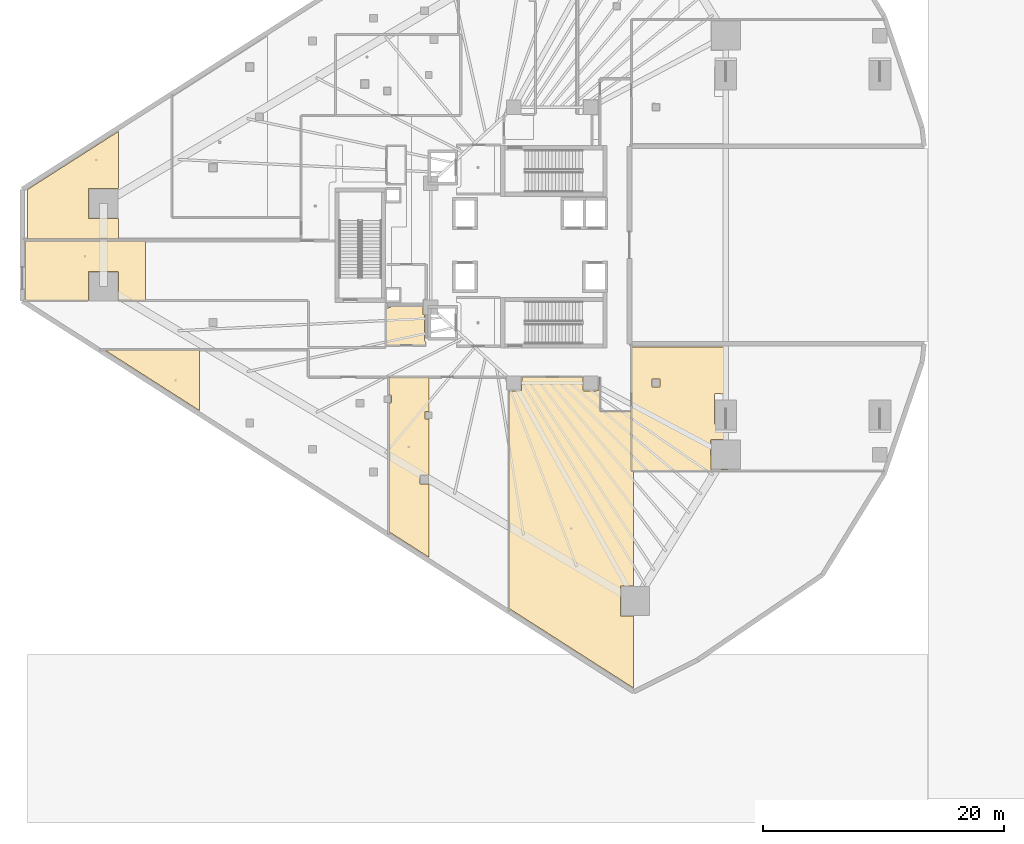
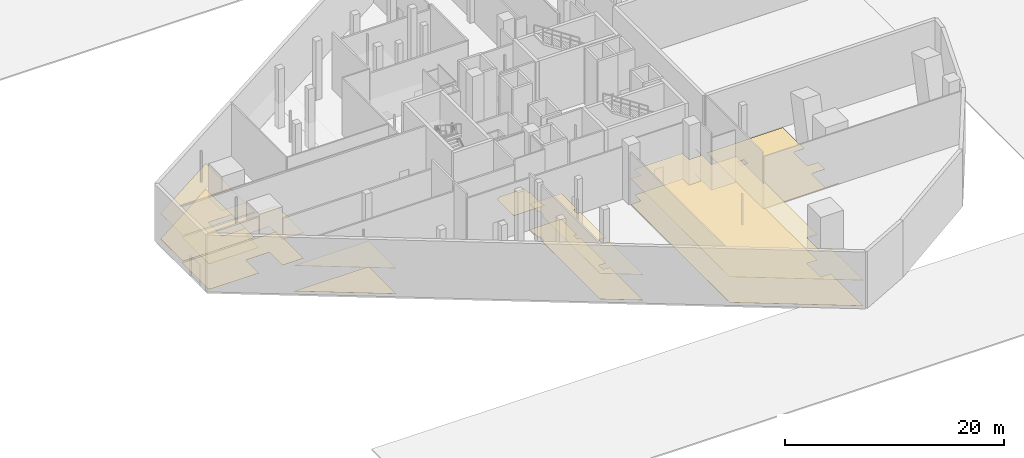
# One storey, part 39 of 45: 12 coverings.
"""IFC4 building model written with IfcOpenShell, lengths in metres."""

import ifcopenshell
import ifcopenshell.guid

model = None  # the IFC model being written
_history = None  # IfcOwnerHistory: only IFC2X3 demands one
_inside = {}  # id of a spatial element -> (the spatial element, [elements in it])
_under = {}  # id of a project, library or spatial element -> (it, [spatial elements below it])
_declared = {}  # id of a project -> (the project, [libraries it declares])
_typed = {}  # id of a type object -> (the type object, [elements of that type])
_made_of = {}  # id of a material, layer set ... -> (it, [elements and type objects made of it])


def new_model(schema):
    """Start an empty IFC model of exactly this schema.

    Asked for "IFC4X3", IfcOpenShell would pick the latest addendum, in which some entities
    have other attributes; the version numbers below select the first issue.
    IFC2X3 requires an IfcOwnerHistory on every rooted entity: one is made here for all.
    """
    global model, _history
    if schema == "IFC4X3":
        model = ifcopenshell.file(schema_version=(4, 3, 0, 0))
    else:
        model = ifcopenshell.file(schema=schema)
    _inside.clear()
    _under.clear()
    _declared.clear()
    _typed.clear()
    _made_of.clear()
    _history = None
    if model.schema == "IFC2X3":
        org = make("IfcOrganization", Name="unknown")
        user = make(
            "IfcPersonAndOrganization",
            ThePerson=make("IfcPerson", FamilyName="unknown"),
            TheOrganization=org,
        )
        app = make(
            "IfcApplication",
            ApplicationDeveloper=org,
            Version="unknown",
            ApplicationFullName="unknown",
            ApplicationIdentifier="unknown",
        )
        _history = make(
            "IfcOwnerHistory",
            OwningUser=user,
            OwningApplication=app,
            ChangeAction="ADDED",
            CreationDate=0,
        )
    return model


def make(cls, **values):
    """One entity of the class cls with the attributes given. An attribute that is None is left unset."""
    return model.create_entity(
        cls, **{name: value for name, value in values.items() if value is not None}
    )


def rooted(cls, **values):
    """An entity with a GlobalId (a new one), such as an element, a storey or a relation."""
    return make(cls, GlobalId=ifcopenshell.guid.new(), OwnerHistory=_history, **values)


def si_unit(unit_type, name, prefix=None):
    """IfcSIUnit, for example si_unit("LENGTHUNIT", "METRE", prefix="MILLI")."""
    return make("IfcSIUnit", UnitType=unit_type, Prefix=prefix, Name=name)


def assignment(units):
    """IfcUnitAssignment: the units of a project."""
    return None if units is None else make("IfcUnitAssignment", Units=units)


def point(xyz):
    """IfcCartesianPoint."""
    return None if xyz is None else make("IfcCartesianPoint", Coordinates=xyz)


def direction(xyz):
    """IfcDirection."""
    return None if xyz is None else make("IfcDirection", DirectionRatios=xyz)


def frame(location, z_axis=None, x_axis=None):
    """IfcAxis2Placement3D, a coordinate frame: its origin and axes. An axis left out is left unset."""
    return make(
        "IfcAxis2Placement3D",
        Location=point(location),
        Axis=direction(z_axis),
        RefDirection=direction(x_axis),
    )


def origin():
    """The frame at (0, 0, 0) with its axes left unset."""
    return frame((0.0, 0.0, 0.0))


def place(relative_to, where):
    """IfcLocalPlacement: puts the frame where relative to a parent placement (None: the world)."""
    return make(
        "IfcLocalPlacement", PlacementRelTo=relative_to, RelativePlacement=where
    )


def context(
    kind, dimensions, precision=None, world=None, true_north=None, identifier=None
):
    """IfcGeometricRepresentationContext, for example the 3D "Model" context."""
    return make(
        "IfcGeometricRepresentationContext",
        ContextIdentifier=identifier,
        ContextType=kind,
        CoordinateSpaceDimension=dimensions,
        Precision=precision,
        WorldCoordinateSystem=world,
        TrueNorth=true_north,
    )


def subcontext(parent, identifier, kind, view, scale=None):
    """IfcGeometricRepresentationSubContext, for example "Body" below "Model"."""
    return make(
        "IfcGeometricRepresentationSubContext",
        ContextIdentifier=identifier,
        ContextType=kind,
        ParentContext=parent,
        TargetScale=scale,
        TargetView=view,
    )


def project(units=None, contexts=None):
    """IfcProject with its units and contexts."""
    return rooted(
        "IfcProject",
        Name="project",
        RepresentationContexts=contexts,
        UnitsInContext=assignment(units),
    )


def spatial(cls, under=None, at=None, **own):
    """A site, building, storey or space (cls), placed at a placement, below another one or the project."""
    s = rooted(cls, ObjectPlacement=at, **own)
    if under is not None:
        _under.setdefault(under.id(), (under, []))[1].append(s)
    return s


def polyline(points):
    """IfcPolyline through the points."""
    return make("IfcPolyline", Points=[point(p) for p in points])


def outline(outer, holes=None, kind="AREA"):
    """IfcArbitraryClosedProfileDef: a profile drawn as a closed curve; with holes, ...WithVoids."""
    if holes is None:
        return make("IfcArbitraryClosedProfileDef", ProfileType=kind, OuterCurve=outer)
    return make(
        "IfcArbitraryProfileDefWithVoids",
        ProfileType=kind,
        OuterCurve=outer,
        InnerCurves=holes,
    )


def extrude(swept, where, along, depth):
    """IfcExtrudedAreaSolid: the profile swept, set in the frame where, extruded along a direction by depth."""
    return make(
        "IfcExtrudedAreaSolid",
        SweptArea=swept,
        Position=where,
        ExtrudedDirection=direction(along),
        Depth=depth,
    )


def shape(context_of_items, identifier, shape_type, items):
    """IfcShapeRepresentation: the items that make up one representation, for example the "Body"."""
    return make(
        "IfcShapeRepresentation",
        ContextOfItems=context_of_items,
        RepresentationIdentifier=identifier,
        RepresentationType=shape_type,
        Items=items,
    )


def material(Name=None, Category=None):
    """IfcMaterial."""
    return make("IfcMaterial", Name=Name, Category=Category)


def layer(
    of_material, thickness, ventilated=None, Name=None, Category=None, Priority=None
):
    """IfcMaterialLayer: one layer of a wall or slab, of a material (None: an air gap)."""
    return make(
        "IfcMaterialLayer",
        Material=of_material,
        LayerThickness=thickness,
        IsVentilated=ventilated,
        Name=Name,
        Category=Category,
        Priority=Priority,
    )


def layer_set(layers, Name=None):
    """IfcMaterialLayerSet."""
    return make("IfcMaterialLayerSet", MaterialLayers=layers, LayerSetName=Name)


def made_of(thing, what):
    """Note that an element or type object is made of a material, layer set ...; save() writes the relation."""
    if what is not None:
        _made_of.setdefault(what.id(), (what, []))[1].append(thing)
    return thing


def type_object(cls, material=None, **own):
    """A type object (cls), such as IfcWallType, which elements share."""
    return made_of(rooted(cls, **own), material)


def element(
    cls,
    number,
    at=None,
    inside=None,
    cuts=None,
    type_object=None,
    material=None,
    context=None,
    identifier="Body",
    shape_type=None,
    held_by="IfcProductDefinitionShape",
    body=None,
    shapes=None,
    **own,
):
    """One element of the class cls, such as IfcWall. Its Tag is "e" and its number.

    at: its placement. inside: the storey or other place that contains it. cuts: it is an
    opening in that element (IfcRelVoidsElement). A single representation is given by context,
    identifier, shape_type and body (its items); several are given by shapes. held_by: the class
    of the entity that holds the representations. save() writes the other relations.
    """
    e = rooted(cls, Tag="e%d" % number, ObjectPlacement=at, **own)
    if body is not None:
        shapes = [shape(context, identifier, shape_type, body)]
    if shapes is not None:
        e.Representation = make(held_by, Representations=shapes)
    if inside is not None:
        _inside.setdefault(inside.id(), (inside, []))[1].append(e)
    if cuts is not None:
        rooted(
            "IfcRelVoidsElement", RelatingBuildingElement=cuts, RelatedOpeningElement=e
        )
    if type_object is not None:
        _typed.setdefault(type_object.id(), (type_object, []))[1].append(e)
    return made_of(e, material)


def aggregate(whole, parts):
    """IfcRelAggregates: a whole, such as a stair, and the parts it consists of."""
    return rooted("IfcRelAggregates", RelatingObject=whole, RelatedObjects=parts)


def save(model, path):
    """Write the relations noted so far, then the file.

    IfcRelAggregates (storeys below a building ...), IfcRelContainedInSpatialStructure (elements
    in a storey), IfcRelDefinesByType, IfcRelAssociatesMaterial and IfcRelDeclares: one each for
    every whole, place, type object, material and project.
    """
    for whole, parts in _under.values():
        aggregate(whole, parts)
    for where, things in _inside.values():
        rooted(
            "IfcRelContainedInSpatialStructure",
            RelatedElements=things,
            RelatingStructure=where,
        )
    for kind, things in _typed.values():
        rooted("IfcRelDefinesByType", RelatedObjects=things, RelatingType=kind)
    for what, things in _made_of.values():
        rooted("IfcRelAssociatesMaterial", RelatedObjects=things, RelatingMaterial=what)
    for by, libraries in _declared.values():
        rooted("IfcRelDeclares", RelatingContext=by, RelatedDefinitions=libraries)
    model.write(path)


model = new_model("IFC4")

# Units and contexts
model_context = context("Model", 3, precision=1e-05, world=origin(), true_north=direction((0.0, 1.0)))
body_context = subcontext(model_context, "Body", "Model", "MODEL_VIEW")
ifc_project = project(units=[si_unit("LENGTHUNIT", "METRE"), si_unit("AREAUNIT", "SQUARE_METRE"), si_unit("VOLUMEUNIT", "CUBIC_METRE"), si_unit("PLANEANGLEUNIT", "RADIAN"), si_unit("MASSUNIT", "GRAM", prefix="KILO")], contexts=[model_context])

# Site, building, storey
site_placement = place(None, origin())
site = spatial("IfcSite", under=ifc_project, at=site_placement, CompositionType="ELEMENT")
building_placement = place(site_placement, origin())
building = spatial("IfcBuilding", under=site, at=building_placement, Name="Qorvath Tower", CompositionType="ELEMENT")
storey_placement = place(building_placement, origin())
storey = spatial("IfcBuildingStorey", under=building, at=storey_placement, Name="L00", CompositionType="ELEMENT", Elevation=0.0)

# Coverings
ifc_material_1 = material(Name="Acoustic mineral fibre ceiling tile", Category="gypsum")
ifc_layer_1 = layer(ifc_material_1, 0.030029296875)
ifc_layer_set_1 = layer_set([ifc_layer_1], Name="COV-CEIL")
covering_type_1 = type_object("IfcCoveringType", Name="COV-CEIL", PredefinedType="CEILING", material=ifc_layer_set_1)
covering_1_placement = place(storey_placement, frame((0.0, 0.0, 2.85009765625)))
element("IfcCovering", 1, at=covering_1_placement, inside=storey, type_object=covering_type_1, Name="L00 Suspended Acoustic Ceiling 006", PredefinedType="CEILING", context=body_context, shape_type="SweptSolid", body=[
    extrude(outline(polyline([(-54.204345703125, -4.594970703125), (-54.204345703125, 0.344970703125), (-64.194091796875, 0.344970703125), (-64.194091796875, -4.513671875), (-64.06689453125, -4.594970703125), (-58.93994140625, -4.594970703125), (-58.92236328125, -2.213623046875), (-56.47998046875, -2.196044921875), (-56.419921875, -2.256103515625), (-56.419921875, -4.594970703125), (-54.204345703125, -4.594970703125)])), origin(), (0.0, 0.0, 1.0), 0.030029296875),
])
covering_2_placement = place(storey_placement, frame((0.0, 0.0, 2.85009765625)))
element("IfcCovering", 2, at=covering_2_placement, inside=storey, type_object=covering_type_1, Name="L00 Suspended Acoustic Ceiling 013", PredefinedType="CEILING", context=body_context, shape_type="SweptSolid", body=[
    extrude(outline(polyline([(-23.9951171875, -30.17041015625), (-13.67626953125, -36.765380859375), (-13.67626953125, -30.810546875), (-14.762451171875, -30.810546875), (-14.762451171875, -28.32568359375), (-13.67626953125, -28.32568359375), (-13.67626953125, -18.762939453125), (-13.85791015625, -18.762939453125), (-13.859130859375, -13.81298828125), (-16.46142578125, -13.8115234375), (-16.462890625, -10.962890625), (-16.5400390625, -10.962890625), (-16.5576171875, -12.092529296875), (-17.800048828125, -12.110107421875), (-17.860107421875, -12.050048828125), (-17.860107421875, -10.962890625), (-22.93994140625, -10.962890625), (-22.95751953125, -12.092529296875), (-23.9951171875, -12.110107421875), (-23.9951171875, -30.17041015625)])), origin(), (0.0, 0.0, 1.0), 0.030029296875),
])
covering_3_placement = place(storey_placement, frame((0.0, 0.0, 2.85009765625)))
element("IfcCovering", 3, at=covering_3_placement, inside=storey, type_object=covering_type_1, Name="L00 Suspended Acoustic Ceiling 015", PredefinedType="CEILING", context=body_context, shape_type="SweptSolid", body=[
    extrude(outline(polyline([(-56.417724609375, 0.5048828125), (-56.417724609375, 9.4482421875), (-63.9951171875, 4.605224609375), (-63.9951171875, 0.5048828125), (-56.417724609375, 0.5048828125)]), holes=[polyline([(-58.92236328125, 4.698486328125), (-56.4375, 4.698486328125), (-56.4375, 2.213623046875), (-58.92236328125, 2.213623046875), (-58.92236328125, 4.698486328125)])]), origin(), (0.0, 0.0, 1.0), 0.030029296875),
])
covering_4_placement = place(storey_placement, frame((0.0, 0.0, 2.85009765625)))
element("IfcCovering", 4, at=covering_4_placement, inside=storey, type_object=covering_type_1, Name="L00 Suspended Acoustic Ceiling 016", PredefinedType="CEILING", context=body_context, shape_type="SweptSolid", body=[
    extrude(outline(polyline([(-57.58056640625, -8.705078125), (-49.721923828125, -13.7275390625), (-49.721923828125, -8.705078125), (-57.58056640625, -8.705078125)])), origin(), (0.0, 0.0, 1.0), 0.030029296875),
])
covering_5_placement = place(storey_placement, frame((0.0, 0.0, 2.85009765625)))
element("IfcCovering", 5, at=covering_5_placement, inside=storey, type_object=covering_type_1, Name="L00 Suspended Acoustic Ceiling 017", PredefinedType="CEILING", context=body_context, shape_type="SweptSolid", body=[
    extrude(outline(polyline([(-30.662353515625, -25.9091796875), (-30.662353515625, -19.827880859375), (-31.383544921875, -19.827880859375), (-31.401123046875, -19.135498046875), (-31.341064453125, -19.075439453125), (-30.662353515625, -19.092529296875), (-30.662353515625, -14.441650390625), (-30.99462890625, -14.441650390625), (-30.99462890625, -13.806884765625), (-30.662353515625, -13.806884765625), (-30.662353515625, -10.962890625), (-33.987060546875, -10.962890625), (-33.987060546875, -12.45751953125), (-33.8291015625, -12.45751953125), (-33.769287109375, -12.517578125), (-33.769287109375, -13.0673828125), (-33.8291015625, -13.12744140625), (-33.987060546875, -13.12744140625), (-33.987060546875, -23.784423828125), (-30.662353515625, -25.9091796875)])), origin(), (0.0, 0.0, 1.0), 0.030029296875),
])
ifc_material_2 = material(Name="Polished epoxy terrazzo flooring", Category="concrete")
ifc_layer_2 = layer(ifc_material_2, 0.02001953125)
ifc_layer_set_2 = layer_set([ifc_layer_2], Name="COV-FLOOR-TRZ")
covering_type_2 = type_object("IfcCoveringType", Name="COV-FLOOR-TRZ", PredefinedType="FLOORING", material=ifc_layer_set_2)
covering_6_placement = place(storey_placement, origin())
element("IfcCovering", 6, at=covering_6_placement, inside=storey, type_object=covering_type_2, Name="L00 Floor Finish 004", PredefinedType="FLOORING", context=body_context, shape_type="SweptSolid", body=[
    extrude(outline(polyline([(-31.159912109375, -5.054931640625), (-33.786865234375, -5.054931640625), (-33.833251953125, -5.166748046875), (-34.175048828125, -5.239990234375), (-34.175048828125, -8.344970703125), (-30.885009765625, -8.344970703125), (-30.885009765625, -8.108154296875), (-31.010009765625, -7.909912109375), (-31.010009765625, -5.81005859375), (-31.159912109375, -5.75), (-31.159912109375, -5.054931640625)])), origin(), (0.0, 0.0, 1.0), 0.014892578125),
])
covering_7_placement = place(storey_placement, origin())
element("IfcCovering", 7, at=covering_7_placement, inside=storey, type_object=covering_type_2, Name="L00 Floor Finish 006", PredefinedType="FLOORING", context=body_context, shape_type="SweptSolid", body=[
    extrude(outline(polyline([(-54.204345703125, -4.594970703125), (-54.204345703125, 0.344970703125), (-64.194091796875, 0.344970703125), (-64.194091796875, -4.513671875), (-64.06689453125, -4.594970703125), (-58.93994140625, -4.594970703125), (-58.92236328125, -2.213623046875), (-56.47998046875, -2.196044921875), (-56.419921875, -2.256103515625), (-56.419921875, -4.594970703125), (-54.204345703125, -4.594970703125)])), origin(), (0.0, 0.0, 1.0), 0.014892578125),
])
covering_8_placement = place(storey_placement, origin())
element("IfcCovering", 8, at=covering_8_placement, inside=storey, type_object=covering_type_2, Name="L00 Floor Finish 012", PredefinedType="FLOORING", context=body_context, shape_type="SweptSolid", body=[
    extrude(outline(polyline([(-13.844970703125, -18.7451171875), (-5.83056640625, -18.7451171875), (-5.83056640625, -18.642333984375), (-7.242431640625, -18.642333984375), (-7.260009765625, -16.199951171875), (-7.199951171875, -16.139892578125), (-5.83056640625, -16.14990234375), (-5.83056640625, -14.842529296875), (-6.9423828125, -14.842529296875), (-6.9599609375, -12.39990234375), (-6.89990234375, -12.340087890625), (-5.83056640625, -12.35009765625), (-5.83056640625, -8.455078125), (-13.8369140625, -8.455078125), (-13.844970703125, -18.7451171875)]), holes=[polyline([(-12.117431640625, -11.132568359375), (-11.482666015625, -11.132568359375), (-11.482666015625, -11.767333984375), (-12.117431640625, -11.767333984375), (-12.117431640625, -11.132568359375)])]), origin(), (0.0, 0.0, 1.0), 0.014892578125),
])
covering_9_placement = place(storey_placement, origin())
element("IfcCovering", 9, at=covering_9_placement, inside=storey, type_object=covering_type_2, Name="L00 Floor Finish 013", PredefinedType="FLOORING", context=body_context, shape_type="SweptSolid", body=[
    extrude(outline(polyline([(-23.9951171875, -30.17041015625), (-13.67626953125, -36.765380859375), (-13.67626953125, -30.810546875), (-14.762451171875, -30.810546875), (-14.762451171875, -28.32568359375), (-13.67626953125, -28.32568359375), (-13.67626953125, -18.762939453125), (-13.85791015625, -18.762939453125), (-13.859130859375, -13.81298828125), (-16.46142578125, -13.8115234375), (-16.462890625, -10.962890625), (-16.5400390625, -10.962890625), (-16.5576171875, -12.092529296875), (-17.800048828125, -12.110107421875), (-17.860107421875, -12.050048828125), (-17.860107421875, -10.962890625), (-22.93994140625, -10.962890625), (-22.95751953125, -12.092529296875), (-23.9951171875, -12.110107421875), (-23.9951171875, -30.17041015625)])), origin(), (0.0, 0.0, 1.0), 0.014892578125),
])
covering_10_placement = place(storey_placement, origin())
element("IfcCovering", 10, at=covering_10_placement, inside=storey, type_object=covering_type_2, Name="L00 Floor Finish 015", PredefinedType="FLOORING", context=body_context, shape_type="SweptSolid", body=[
    extrude(outline(polyline([(-56.417724609375, 0.5048828125), (-56.417724609375, 9.4482421875), (-63.9951171875, 4.605224609375), (-63.9951171875, 0.5048828125), (-56.417724609375, 0.5048828125)]), holes=[polyline([(-58.92236328125, 4.698486328125), (-56.4375, 4.698486328125), (-56.4375, 2.213623046875), (-58.92236328125, 2.213623046875), (-58.92236328125, 4.698486328125)])]), origin(), (0.0, 0.0, 1.0), 0.014892578125),
])
covering_11_placement = place(storey_placement, origin())
element("IfcCovering", 11, at=covering_11_placement, inside=storey, type_object=covering_type_2, Name="L00 Floor Finish 016", PredefinedType="FLOORING", context=body_context, shape_type="SweptSolid", body=[
    extrude(outline(polyline([(-57.58056640625, -8.705078125), (-49.721923828125, -13.7275390625), (-49.721923828125, -8.705078125), (-57.58056640625, -8.705078125)])), origin(), (0.0, 0.0, 1.0), 0.014892578125),
])
covering_12_placement = place(storey_placement, origin())
element("IfcCovering", 12, at=covering_12_placement, inside=storey, type_object=covering_type_2, Name="L00 Floor Finish 017", PredefinedType="FLOORING", context=body_context, shape_type="SweptSolid", body=[
    extrude(outline(polyline([(-30.662353515625, -25.9091796875), (-30.662353515625, -19.827880859375), (-31.383544921875, -19.827880859375), (-31.401123046875, -19.135498046875), (-31.341064453125, -19.075439453125), (-30.662353515625, -19.092529296875), (-30.662353515625, -14.441650390625), (-30.99462890625, -14.441650390625), (-30.99462890625, -13.806884765625), (-30.662353515625, -13.806884765625), (-30.662353515625, -10.962890625), (-33.987060546875, -10.962890625), (-33.987060546875, -12.45751953125), (-33.8291015625, -12.45751953125), (-33.769287109375, -12.517578125), (-33.769287109375, -13.0673828125), (-33.8291015625, -13.12744140625), (-33.987060546875, -13.12744140625), (-33.987060546875, -23.784423828125), (-30.662353515625, -25.9091796875)])), origin(), (0.0, 0.0, 1.0), 0.014892578125),
])

save(model, "model.ifc")
